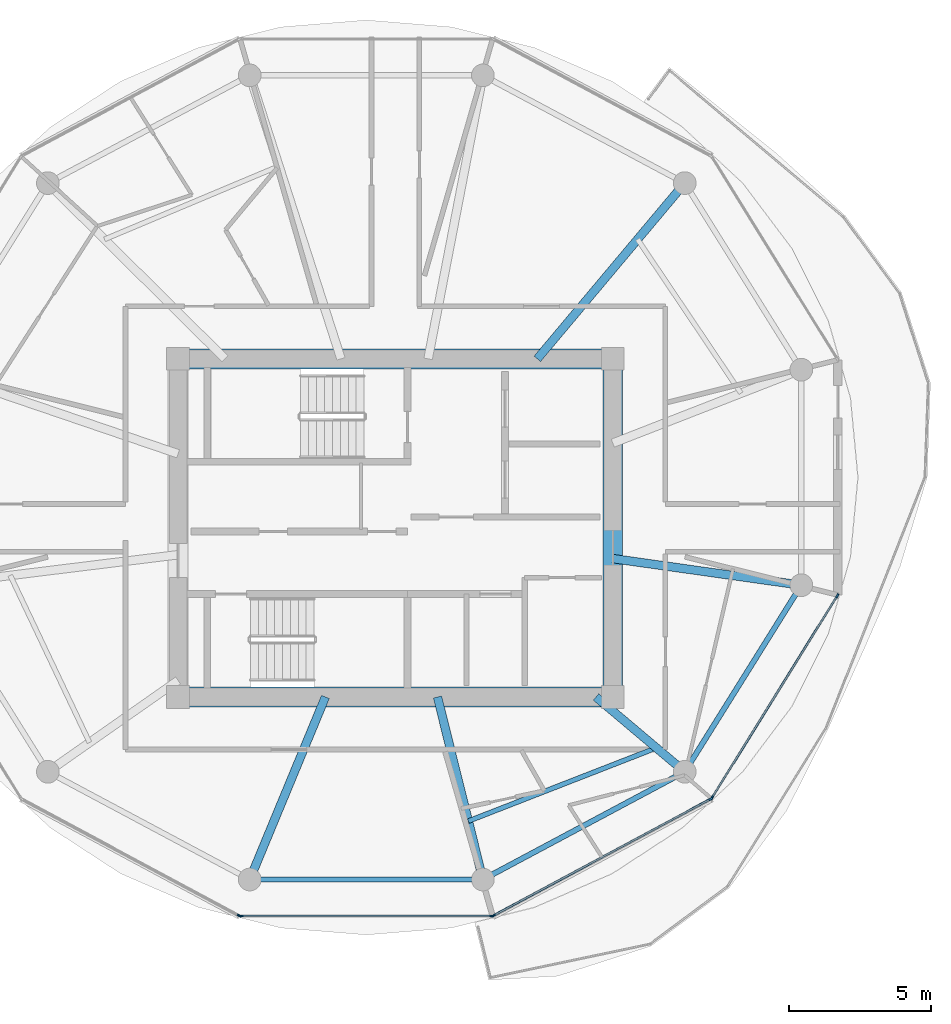
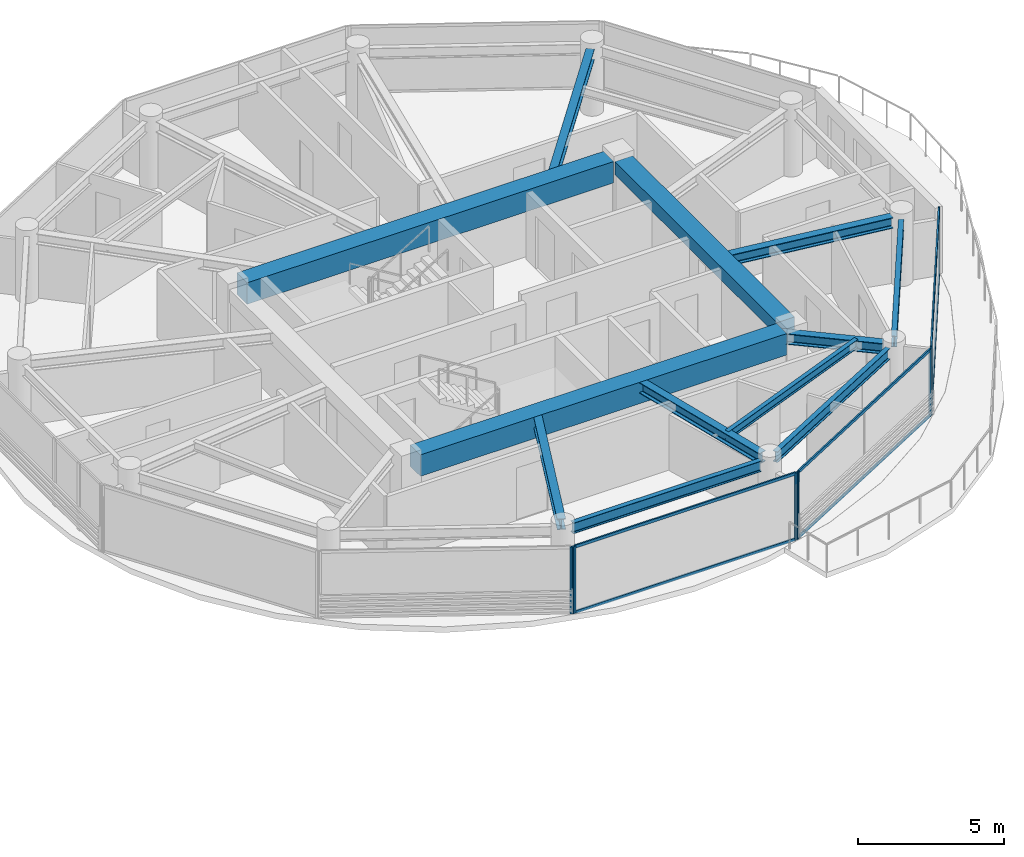
# One storey, part 10 of 23: 13 members, 12 beams, 4 elements without a shape of their own.
"""IFC4 building model written with IfcOpenShell, lengths in metres."""

from ifc_helpers import new_model, si_unit, direction, frame, origin, origin_2d, place, context, subcontext, project, spatial, rectangle, i_section, extrude, source, transform, mapped, material, layer, layer_set, material_profile, profile_set, type_object, type_shapes, element, aggregate, save


model = new_model("IFC4")

# Units and contexts
model_context = context("Model", 3, precision=1e-05, world=origin(), true_north=direction((0.0, 1.0)))
body_context = subcontext(model_context, "Body", "Model", "MODEL_VIEW")
ifc_project = project(units=[si_unit("LENGTHUNIT", "METRE"), si_unit("AREAUNIT", "SQUARE_METRE"), si_unit("VOLUMEUNIT", "CUBIC_METRE"), si_unit("PLANEANGLEUNIT", "RADIAN"), si_unit("MASSUNIT", "GRAM", prefix="KILO")], contexts=[model_context])

# Site, building, storey
site_placement = place(None, origin())
site = spatial("IfcSite", under=ifc_project, at=site_placement, CompositionType="ELEMENT")
building_placement = place(site_placement, origin())
building = spatial("IfcBuilding", under=site, at=building_placement, Name="Norrkilde Senior Care Towers", CompositionType="ELEMENT")
storey_placement = place(building_placement, frame((0.0, 0.0, 158.699951171875)))
storey = spatial("IfcBuildingStorey", under=building, at=storey_placement, Name="L49", CompositionType="ELEMENT", Elevation=158.699951171875)

# Beams
ifc_material_1 = material(Name="Concrete C60/75", Category="concrete")
ifc_material_profile_1 = material_profile(ifc_material_1, rectangle(XDim=0.699951171875, YDim=0.89990234375, at=origin_2d()), Name="RC BM 700x900")
ifc_profile_set_1 = profile_set([ifc_material_profile_1], Name="Concrete C60/75")
beam_type_1 = type_object("IfcBeamType", Name="Core Coupling Girder 700x900", PredefinedType="USERDEFINED", material=ifc_profile_set_1)
shared_shape_1 = source(origin(), body_context, "Body", "SweptSolid", [
    extrude(rectangle(XDim=0.699951171875, YDim=0.89990234375, at=origin_2d()), origin(), (0.0, 0.0, 1.0), 14.5400390625),
])
type_shapes(beam_type_1, [shared_shape_1])
for number, where, z_axis, x_axis, name in (
    (1, (20.72998046875, 5.949951171875, 2.360107421875), (1.0, 0.0, 0.0), (0.0, 1.0, 0.0), "L49 Core E N Coupling Girder"),
    (2, (20.72998046875, -5.949951171875, 2.360107421875), (1.0, 0.0, 0.0), (0.0, 1.0, 0.0), "L49 Core E S Coupling Girder"),
):
    element("IfcBeam", number, at=place(storey_placement, frame(where, z_axis=z_axis, x_axis=x_axis)), inside=storey, type_object=beam_type_1, Name=name, ObjectType="GIRDER", PredefinedType="USERDEFINED", context=body_context, shape_type="MappedRepresentation", body=[
        mapped(shared_shape_1, transform((0.0, 0.0, 0.0), x_axis=(1.0, 0.0, 0.0), y_axis=(0.0, 1.0, 0.0), z_axis=(0.0, 0.0, 1.0), scale=1.0)),
    ])
ifc_material_profile_2 = material_profile(ifc_material_1, rectangle(XDim=0.699951171875, YDim=0.550048828125, at=origin_2d()), Name="RC BM 700x550")
ifc_profile_set_2 = profile_set([ifc_material_profile_2], Name="Concrete C60/75")
beam_type_2 = type_object("IfcBeamType", Name="Core Portal Coupling Beam 700x550", PredefinedType="USERDEFINED", material=ifc_profile_set_2)
shared_shape_2 = source(origin(), body_context, "Body", "SweptSolid", [
    extrude(rectangle(XDim=0.699951171875, YDim=0.550048828125, at=origin_2d()), origin(), (0.0, 0.0, 1.0), 11.14013671875),
])
type_shapes(beam_type_2, [shared_shape_2])
beam_1_placement = place(storey_placement, frame((35.64990234375, -5.570068359375, 2.53515625), z_axis=(0.0, 1.0, 0.0), x_axis=(-1.0, 0.0, 0.0)))
element("IfcBeam", 3, at=beam_1_placement, inside=storey, type_object=beam_type_2, Name="L49 Core E E Coupling Girder", ObjectType="GIRDER", PredefinedType="USERDEFINED", context=body_context, shape_type="MappedRepresentation", body=[
    mapped(shared_shape_2, transform((0.0, 0.0, 0.0), x_axis=(1.0, 0.0, 0.0), y_axis=(0.0, 1.0, 0.0), z_axis=(0.0, 0.0, 1.0), scale=1.0)),
])
ifc_material_2 = material(Name="Steel S355", Category="steel")
ifc_material_profile_3 = material_profile(ifc_material_2, i_section(OverallWidth=0.18994140625, OverallDepth=0.449951171875, WebThickness=0.009521484375, FlangeThickness=0.0146484375, FilletRadius=0.02099609375, at=origin_2d()), Name="IPE 450")
ifc_profile_set_3 = profile_set([ifc_material_profile_3], Name="Steel S355")
beam_type_3 = type_object("IfcBeamType", Name="Perimeter Ring Spandrel Z3 IPE450", PredefinedType="SPANDREL", material=ifc_profile_set_3)
shared_shape_3 = source(origin(), body_context, "Body", "SweptSolid", [
    extrude(i_section(OverallWidth=0.18994140625, OverallDepth=0.449951171875, WebThickness=0.009521484375, FlangeThickness=0.0146484375, FilletRadius=0.02099609375, at=origin_2d()), origin(), (0.0, 0.0, 1.0), 7.484619140625),
])
beam_2_placement = place(storey_placement, frame((23.232666015625, -12.37548828125, 2.5849609375), z_axis=(1.0, 0.0, 0.0), x_axis=(0.0, 1.0, 0.0)))
element("IfcBeam", 4, at=beam_2_placement, inside=storey, type_object=beam_type_3, Name="L49 Drum E Perimeter Spandrel 09", PredefinedType="SPANDREL", context=body_context, shape_type="MappedRepresentation", body=[
    mapped(shared_shape_3, transform((0.0, 0.0, 0.0), x_axis=(1.0, 0.0, 0.0), y_axis=(0.0, 1.0, 0.0), z_axis=(0.0, 0.0, 1.0), scale=1.0)),
])
ifc_material_profile_4 = material_profile(ifc_material_2, i_section(OverallWidth=0.300048828125, OverallDepth=0.449951171875, WebThickness=0.013916015625, FlangeThickness=0.02587890625, FilletRadius=0.027099609375, at=origin_2d()), Name="HEB 450")
ifc_profile_set_4 = profile_set([ifc_material_profile_4], Name="Steel S355")
beam_type_4 = type_object("IfcBeamType", Name="Radial Floor Beam Z3 HEB450", PredefinedType="BEAM", material=ifc_profile_set_4)
shared_shape_4 = source(origin(), body_context, "Body", "SweptSolid", [
    extrude(i_section(OverallWidth=0.300048828125, OverallDepth=0.449951171875, WebThickness=0.013916015625, FlangeThickness=0.02587890625, FilletRadius=0.027099609375, at=origin_2d()), origin(), (0.0, 0.0, 1.0), 7.71337890625),
])
beam_3_placement = place(storey_placement, frame((32.992919921875, 5.949951171875, 2.5849609375), z_axis=(0.642808239864, 0.766027131872, 0.0), x_axis=(-0.766027131872, 0.642808239864, 0.0)))
element("IfcBeam", 5, at=beam_3_placement, inside=storey, type_object=beam_type_4, Name="L49 Drum E Radial Floor Beam 02", PredefinedType="BEAM", context=body_context, shape_type="MappedRepresentation", body=[
    mapped(shared_shape_4, transform((0.0, 0.0, 0.0), x_axis=(1.0, 0.0, 0.0), y_axis=(0.0, 1.0, 0.0), z_axis=(0.0, 0.0, 1.0), scale=1.0)),
])
shared_shape_5 = source(origin(), body_context, "Body", "SweptSolid", [
    extrude(i_section(OverallWidth=0.18994140625, OverallDepth=0.449951171875, WebThickness=0.009521484375, FlangeThickness=0.0146484375, FilletRadius=0.02099609375, at=origin_2d()), origin(), (0.0, 0.0, 1.0), 7.023193359375),
])
beam_4_placement = place(storey_placement, frame((38.373291015625, -8.2783203125, 2.5849609375), z_axis=(0.529805197269, 0.848119362441, 0.0), x_axis=(-0.848119362441, 0.529805197269, 0.0)))
element("IfcBeam", 6, at=beam_4_placement, inside=storey, type_object=beam_type_3, Name="L49 Drum E Perimeter Spandrel 11", PredefinedType="SPANDREL", context=body_context, shape_type="MappedRepresentation", body=[
    mapped(shared_shape_5, transform((0.0, 0.0, 0.0), x_axis=(1.0, 0.0, 0.0), y_axis=(0.0, 1.0, 0.0), z_axis=(0.0, 0.0, 1.0), scale=1.0)),
])
shared_shape_6 = source(origin(), body_context, "Body", "SweptSolid", [
    extrude(i_section(OverallWidth=0.300048828125, OverallDepth=0.449951171875, WebThickness=0.013916015625, FlangeThickness=0.02587890625, FilletRadius=0.027099609375, at=origin_2d()), origin(), (0.0, 0.0, 1.0), 6.3408203125),
])
beam_5_placement = place(storey_placement, frame((35.64990234375, -1.079833984375, 2.5849609375), z_axis=(0.990184519576, -0.139766294905, 0.0), x_axis=(0.139766294905, 0.990184519576, 0.0)))
element("IfcBeam", 7, at=beam_5_placement, inside=storey, type_object=beam_type_4, Name="L49 Drum E Radial Floor Beam 12", PredefinedType="BEAM", context=body_context, shape_type="MappedRepresentation", body=[
    mapped(shared_shape_6, transform((0.0, 0.0, 0.0), x_axis=(1.0, 0.0, 0.0), y_axis=(0.0, 1.0, 0.0), z_axis=(0.0, 0.0, 1.0), scale=1.0)),
])
shared_shape_7 = source(origin(), body_context, "Body", "SweptSolid", [
    extrude(i_section(OverallWidth=0.18994140625, OverallDepth=0.449951171875, WebThickness=0.009521484375, FlangeThickness=0.0146484375, FilletRadius=0.02099609375, at=origin_2d()), origin(), (0.0, 0.0, 1.0), 7.333984375),
])
type_shapes(beam_type_3, [shared_shape_3, shared_shape_5, shared_shape_7])
beam_6_placement = place(storey_placement, frame((31.394775390625, -12.2060546875, 2.5849609375), z_axis=(0.882234038987, 0.470811109101, 0.0), x_axis=(-0.470811109101, 0.882234038987, 0.0)))
element("IfcBeam", 8, at=beam_6_placement, inside=storey, type_object=beam_type_3, Name="L49 Drum E Perimeter Spandrel 10", PredefinedType="SPANDREL", context=body_context, shape_type="MappedRepresentation", body=[
    mapped(shared_shape_7, transform((0.0, 0.0, 0.0), x_axis=(1.0, 0.0, 0.0), y_axis=(0.0, 1.0, 0.0), z_axis=(0.0, 0.0, 1.0), scale=1.0)),
])
shared_shape_8 = source(origin(), body_context, "Body", "SweptSolid", [
    extrude(i_section(OverallWidth=0.300048828125, OverallDepth=0.449951171875, WebThickness=0.013916015625, FlangeThickness=0.02587890625, FilletRadius=0.027099609375, at=origin_2d()), origin(), (0.0, 0.0, 1.0), 3.7265625),
])
beam_7_placement = place(storey_placement, frame((35.058349609375, -5.949951171875, 2.5849609375), z_axis=(0.764567902106, -0.644543189453, 0.0), x_axis=(0.644543189453, 0.764567902106, 0.0)))
element("IfcBeam", 9, at=beam_7_placement, inside=storey, type_object=beam_type_4, Name="L49 Drum E Radial Floor Beam 11", PredefinedType="BEAM", context=body_context, shape_type="MappedRepresentation", body=[
    mapped(shared_shape_8, transform((0.0, 0.0, 0.0), x_axis=(1.0, 0.0, 0.0), y_axis=(0.0, 1.0, 0.0), z_axis=(0.0, 0.0, 1.0), scale=1.0)),
])
shared_shape_9 = source(origin(), body_context, "Body", "SweptSolid", [
    extrude(i_section(OverallWidth=0.300048828125, OverallDepth=0.449951171875, WebThickness=0.013916015625, FlangeThickness=0.02587890625, FilletRadius=0.027099609375, at=origin_2d()), origin(), (0.0, 0.0, 1.0), 6.26123046875),
])
beam_8_placement = place(storey_placement, frame((29.4794921875, -5.949951171875, 2.5849609375), z_axis=(0.241324375921, -0.970444509277, 0.0), x_axis=(0.970444509277, 0.241324375921, 0.0)))
element("IfcBeam", 10, at=beam_8_placement, inside=storey, type_object=beam_type_4, Name="L49 Drum E Radial Floor Beam 10", PredefinedType="BEAM", context=body_context, shape_type="MappedRepresentation", body=[
    mapped(shared_shape_9, transform((0.0, 0.0, 0.0), x_axis=(1.0, 0.0, 0.0), y_axis=(0.0, 1.0, 0.0), z_axis=(0.0, 0.0, 1.0), scale=1.0)),
])
shared_shape_10 = source(origin(), body_context, "Body", "SweptSolid", [
    extrude(i_section(OverallWidth=0.300048828125, OverallDepth=0.449951171875, WebThickness=0.013916015625, FlangeThickness=0.02587890625, FilletRadius=0.027099609375, at=origin_2d()), origin(), (0.0, 0.0, 1.0), 6.59521484375),
])
type_shapes(beam_type_4, [shared_shape_4, shared_shape_6, shared_shape_8, shared_shape_9, shared_shape_10])
beam_9_placement = place(storey_placement, frame((25.534912109375, -5.949951171875, 2.5849609375), z_axis=(-0.382761541363, -0.923847174836, 0.0), x_axis=(0.923847174836, -0.382761541363, 0.0)))
element("IfcBeam", 11, at=beam_9_placement, inside=storey, type_object=beam_type_4, Name="L49 Drum E Radial Floor Beam 09", PredefinedType="BEAM", context=body_context, shape_type="MappedRepresentation", body=[
    mapped(shared_shape_10, transform((0.0, 0.0, 0.0), x_axis=(1.0, 0.0, 0.0), y_axis=(0.0, 1.0, 0.0), z_axis=(0.0, 0.0, 1.0), scale=1.0)),
])
ifc_material_profile_5 = material_profile(ifc_material_2, i_section(OverallWidth=0.169921875, OverallDepth=0.360107421875, WebThickness=0.008056640625, FlangeThickness=0.0126953125, FilletRadius=0.01806640625, at=origin_2d()), Name="IPE 360")
ifc_profile_set_5 = profile_set([ifc_material_profile_5], Name="Steel S355")
beam_type_5 = type_object("IfcBeamType", Name="Secondary Floor Joist IPE360", PredefinedType="JOIST", material=ifc_profile_set_5)
shared_shape_11 = source(origin(), body_context, "Body", "SweptSolid", [
    extrude(i_section(OverallWidth=0.169921875, OverallDepth=0.360107421875, WebThickness=0.008056640625, FlangeThickness=0.0126953125, FilletRadius=0.01806640625, at=origin_2d()), origin(), (0.0, 0.0, 1.0), 7.1015625),
])
type_shapes(beam_type_5, [shared_shape_11])
beam_10_placement = place(storey_placement, frame((30.56591796875, -10.3193359375, 2.630126953125), z_axis=(0.931761231292, 0.363071629106, 0.0), x_axis=(-0.363071629106, 0.931761231292, 0.0)))
element("IfcBeam", 12, at=beam_10_placement, inside=storey, type_object=beam_type_5, Name="L49 Drum E Secondary Floor Joist 4", PredefinedType="JOIST", context=body_context, shape_type="MappedRepresentation", body=[
    mapped(shared_shape_11, transform((0.0, 0.0, 0.0), x_axis=(1.0, 0.0, 0.0), y_axis=(0.0, 1.0, 0.0), z_axis=(0.0, 0.0, 1.0), scale=1.0)),
])

# Curtain wall, member
ifc_material_3 = material(Name="Triple Low-E Insulated Glazing", Category="glass")
ifc_layer = layer(ifc_material_3, 0.18994140625)
ifc_layer_set = layer_set([ifc_layer], Name="Triple Low-E Insulated Glazing")
curtain_wall_type = type_object("IfcCurtainWallType", Name="CW4 Zone 3 Senior Residence Curtain Wall", PredefinedType="NOTDEFINED", material=ifc_layer_set)
curtain_wall_1_placement = place(storey_placement, origin())
curtain_wall_1 = element("IfcCurtainWall", 13, at=curtain_wall_1_placement, inside=storey, type_object=curtain_wall_type, Name="L49 Drum E Curtain Wall 07", PredefinedType="NOTDEFINED")
ifc_material_4 = material(Name="Anodised Aluminium", Category="aluminium")
ifc_material_profile_6 = material_profile(ifc_material_4, rectangle(XDim=0.06494140625, YDim=0.14990234375, at=origin_2d()), Name="ALU MULL 65x150")
ifc_profile_set_6 = profile_set([ifc_material_profile_6], Name="Anodised Aluminium")
member_type_1 = type_object("IfcMemberType", Name="Curtain Wall Mullion Z3-Z4 65x150", PredefinedType="MULLION", material=ifc_profile_set_6)
shared_shape_12 = source(origin(), body_context, "Body", "SweptSolid", [
    extrude(rectangle(XDim=0.06494140625, YDim=0.14990234375, at=origin_2d()), origin(), (0.0, 0.0, 1.0), 2.81005859375),
])
type_shapes(member_type_1, [shared_shape_12])
member_1_placement = place(storey_placement, frame((22.499755859375, -13.644775390625, 0.0), z_axis=(0.0, 0.0, 1.0), x_axis=(-0.47311715104, -0.880999524059, 0.0)))
member_1 = element("IfcMember", 14, at=member_1_placement, type_object=member_type_1, Name="CW-4 mullion 1", PredefinedType="MULLION", context=body_context, shape_type="MappedRepresentation", body=[
    mapped(shared_shape_12, transform((0.0, 0.0, 0.0), x_axis=(1.0, 0.0, 0.0), y_axis=(0.0, 1.0, 0.0), z_axis=(0.0, 0.0, 1.0), scale=1.0)),
])
aggregate(curtain_wall_1, [member_1])

# Curtain wall, members
curtain_wall_2_placement = place(storey_placement, origin())
curtain_wall_2 = element("IfcCurtainWall", 15, at=curtain_wall_2_placement, inside=storey, type_object=curtain_wall_type, Name="L49 Drum E Curtain Wall 08", PredefinedType="NOTDEFINED")
member_2_placement = place(storey_placement, frame((31.388916015625, -13.66015625, 0.0), z_axis=(0.0, 0.0, 1.0), x_axis=(0.0, -1.0, 0.0)))
member_2 = element("IfcMember", 16, at=member_2_placement, type_object=member_type_1, Name="CW-4 mullion 1", PredefinedType="MULLION", context=body_context, shape_type="MappedRepresentation", body=[
    mapped(shared_shape_12, transform((0.0, 0.0, 0.0), x_axis=(1.0, 0.0, 0.0), y_axis=(0.0, 1.0, 0.0), z_axis=(0.0, 0.0, 1.0), scale=1.0)),
])
member_3_placement = place(storey_placement, frame((22.56103515625, -13.66015625, 0.0), z_axis=(0.0, 0.0, 1.0), x_axis=(0.0, -1.0, 0.0)))
member_3 = element("IfcMember", 17, at=member_3_placement, type_object=member_type_1, Name="CW-4 mullion 2", PredefinedType="MULLION", context=body_context, shape_type="MappedRepresentation", body=[
    mapped(shared_shape_12, transform((0.0, 0.0, 0.0), x_axis=(1.0, 0.0, 0.0), y_axis=(0.0, 1.0, 0.0), z_axis=(0.0, 0.0, 1.0), scale=1.0)),
])

curtain_wall_3_placement = place(storey_placement, origin())
curtain_wall_3 = element("IfcCurtainWall", 18, at=curtain_wall_3_placement, inside=storey, type_object=curtain_wall_type, Name="L49 Drum E Curtain Wall 09", PredefinedType="NOTDEFINED")
member_4_placement = place(storey_placement, frame((39.094482421875, -9.53955078125, 0.0), z_axis=(0.0, 0.0, 1.0), x_axis=(0.47311715104, -0.880999524059, 0.0)))
member_4 = element("IfcMember", 19, at=member_4_placement, type_object=member_type_1, Name="CW-4 mullion 1", PredefinedType="MULLION", context=body_context, shape_type="MappedRepresentation", body=[
    mapped(shared_shape_12, transform((0.0, 0.0, 0.0), x_axis=(1.0, 0.0, 0.0), y_axis=(0.0, 1.0, 0.0), z_axis=(0.0, 0.0, 1.0), scale=1.0)),
])
member_5_placement = place(storey_placement, frame((31.4501953125, -13.644775390625, 0.0), z_axis=(0.0, 0.0, 1.0), x_axis=(0.47311715104, -0.880999524059, 0.0)))
member_5 = element("IfcMember", 20, at=member_5_placement, type_object=member_type_1, Name="CW-4 mullion 2", PredefinedType="MULLION", context=body_context, shape_type="MappedRepresentation", body=[
    mapped(shared_shape_12, transform((0.0, 0.0, 0.0), x_axis=(1.0, 0.0, 0.0), y_axis=(0.0, 1.0, 0.0), z_axis=(0.0, 0.0, 1.0), scale=1.0)),
])

curtain_wall_4_placement = place(storey_placement, origin())
curtain_wall_4 = element("IfcCurtainWall", 21, at=curtain_wall_4_placement, inside=storey, type_object=curtain_wall_type, Name="L49 Drum E Curtain Wall 10", PredefinedType="NOTDEFINED")
member_6_placement = place(storey_placement, frame((43.552490234375, -2.38818359375, 0.0), z_axis=(0.0, 0.0, 1.0), x_axis=(0.84963405474, -0.52737270789, 0.0)))
member_6 = element("IfcMember", 22, at=member_6_placement, type_object=member_type_1, Name="CW-4 mullion 1", PredefinedType="MULLION", context=body_context, shape_type="MappedRepresentation", body=[
    mapped(shared_shape_12, transform((0.0, 0.0, 0.0), x_axis=(1.0, 0.0, 0.0), y_axis=(0.0, 1.0, 0.0), z_axis=(0.0, 0.0, 1.0), scale=1.0)),
])
member_7_placement = place(storey_placement, frame((39.14013671875, -9.49658203125, 0.0), z_axis=(0.0, 0.0, 1.0), x_axis=(0.84963405474, -0.52737270789, 0.0)))
member_7 = element("IfcMember", 23, at=member_7_placement, type_object=member_type_1, Name="CW-4 mullion 2", PredefinedType="MULLION", context=body_context, shape_type="MappedRepresentation", body=[
    mapped(shared_shape_12, transform((0.0, 0.0, 0.0), x_axis=(1.0, 0.0, 0.0), y_axis=(0.0, 1.0, 0.0), z_axis=(0.0, 0.0, 1.0), scale=1.0)),
])
ifc_material_profile_7 = material_profile(ifc_material_4, rectangle(XDim=0.06005859375, YDim=0.1201171875, at=origin_2d()), Name="ALU TRAN 60x120")
ifc_profile_set_7 = profile_set([ifc_material_profile_7], Name="Anodised Aluminium")
member_type_2 = type_object("IfcMemberType", Name="Curtain Wall Transom Typical 60x120", PredefinedType="USERDEFINED", material=ifc_profile_set_7)
shared_shape_13 = source(origin(), body_context, "Body", "SweptSolid", [
    extrude(rectangle(XDim=0.06005859375, YDim=0.1201171875, at=origin_2d()), origin(), (0.0, 0.0, 1.0), 8.301513671875),
])
member_8_placement = place(storey_placement, frame((43.535400390625, -2.415771484375, 0.030029296875), z_axis=(-0.527368718394, -0.849636531029, 0.0), x_axis=(0.849636531029, -0.527368718394, 0.0)))
member_8 = element("IfcMember", 24, at=member_8_placement, type_object=member_type_2, Name="CW-4 transom 1.1", ObjectType="TRANSOM", PredefinedType="USERDEFINED", context=body_context, shape_type="MappedRepresentation", body=[
    mapped(shared_shape_13, transform((0.0, 0.0, 0.0), x_axis=(1.0, 0.0, 0.0), y_axis=(0.0, 1.0, 0.0), z_axis=(0.0, 0.0, 1.0), scale=1.0)),
])
member_9_placement = place(storey_placement, frame((43.535400390625, -2.415771484375, 2.780029296875), z_axis=(-0.527368718394, -0.849636531029, 0.0), x_axis=(0.849636531029, -0.527368718394, 0.0)))
member_9 = element("IfcMember", 25, at=member_9_placement, type_object=member_type_2, Name="CW-4 transom 1.2", ObjectType="TRANSOM", PredefinedType="USERDEFINED", context=body_context, shape_type="MappedRepresentation", body=[
    mapped(shared_shape_13, transform((0.0, 0.0, 0.0), x_axis=(1.0, 0.0, 0.0), y_axis=(0.0, 1.0, 0.0), z_axis=(0.0, 0.0, 1.0), scale=1.0)),
])
aggregate(curtain_wall_4, [member_6, member_7, member_8, member_9])

# Member
shared_shape_14 = source(origin(), body_context, "Body", "SweptSolid", [
    extrude(rectangle(XDim=0.06005859375, YDim=0.1201171875, at=origin_2d()), origin(), (0.0, 0.0, 1.0), 8.762939453125),
])
member_10_placement = place(storey_placement, frame((31.3564453125, -13.66015625, 0.030029296875), z_axis=(-1.0, 0.0, 0.0), x_axis=(0.0, -1.0, 0.0)))
member_10 = element("IfcMember", 26, at=member_10_placement, type_object=member_type_2, Name="CW-4 transom 1.1", ObjectType="TRANSOM", PredefinedType="USERDEFINED", context=body_context, shape_type="MappedRepresentation", body=[
    mapped(shared_shape_14, transform((0.0, 0.0, 0.0), x_axis=(1.0, 0.0, 0.0), y_axis=(0.0, 1.0, 0.0), z_axis=(0.0, 0.0, 1.0), scale=1.0)),
])

member_11_placement = place(storey_placement, frame((31.3564453125, -13.66015625, 2.780029296875), z_axis=(-1.0, 0.0, 0.0), x_axis=(0.0, -1.0, 0.0)))
member_11 = element("IfcMember", 27, at=member_11_placement, type_object=member_type_2, Name="CW-4 transom 1.2", ObjectType="TRANSOM", PredefinedType="USERDEFINED", context=body_context, shape_type="MappedRepresentation", body=[
    mapped(shared_shape_14, transform((0.0, 0.0, 0.0), x_axis=(1.0, 0.0, 0.0), y_axis=(0.0, 1.0, 0.0), z_axis=(0.0, 0.0, 1.0), scale=1.0)),
])

aggregate(curtain_wall_2, [member_2, member_3, member_10, member_11])

shared_shape_15 = source(origin(), body_context, "Body", "SweptSolid", [
    extrude(rectangle(XDim=0.06005859375, YDim=0.1201171875, at=origin_2d()), origin(), (0.0, 0.0, 1.0), 8.612060546875),
])
type_shapes(member_type_2, [shared_shape_13, shared_shape_14, shared_shape_15])
member_12_placement = place(storey_placement, frame((39.06591796875, -9.554931640625, 0.030029296875), z_axis=(-0.881000337462, -0.473115636384, 0.0), x_axis=(0.473115636384, -0.881000337462, 0.0)))
member_12 = element("IfcMember", 28, at=member_12_placement, type_object=member_type_2, Name="CW-4 transom 1.1", ObjectType="TRANSOM", PredefinedType="USERDEFINED", context=body_context, shape_type="MappedRepresentation", body=[
    mapped(shared_shape_15, transform((0.0, 0.0, 0.0), x_axis=(1.0, 0.0, 0.0), y_axis=(0.0, 1.0, 0.0), z_axis=(0.0, 0.0, 1.0), scale=1.0)),
])

member_13_placement = place(storey_placement, frame((39.06591796875, -9.554931640625, 2.780029296875), z_axis=(-0.881000337462, -0.473115636384, 0.0), x_axis=(0.473115636384, -0.881000337462, 0.0)))
member_13 = element("IfcMember", 29, at=member_13_placement, type_object=member_type_2, Name="CW-4 transom 1.2", ObjectType="TRANSOM", PredefinedType="USERDEFINED", context=body_context, shape_type="MappedRepresentation", body=[
    mapped(shared_shape_15, transform((0.0, 0.0, 0.0), x_axis=(1.0, 0.0, 0.0), y_axis=(0.0, 1.0, 0.0), z_axis=(0.0, 0.0, 1.0), scale=1.0)),
])

aggregate(curtain_wall_3, [member_4, member_5, member_12, member_13])

save(model, "model.ifc")
